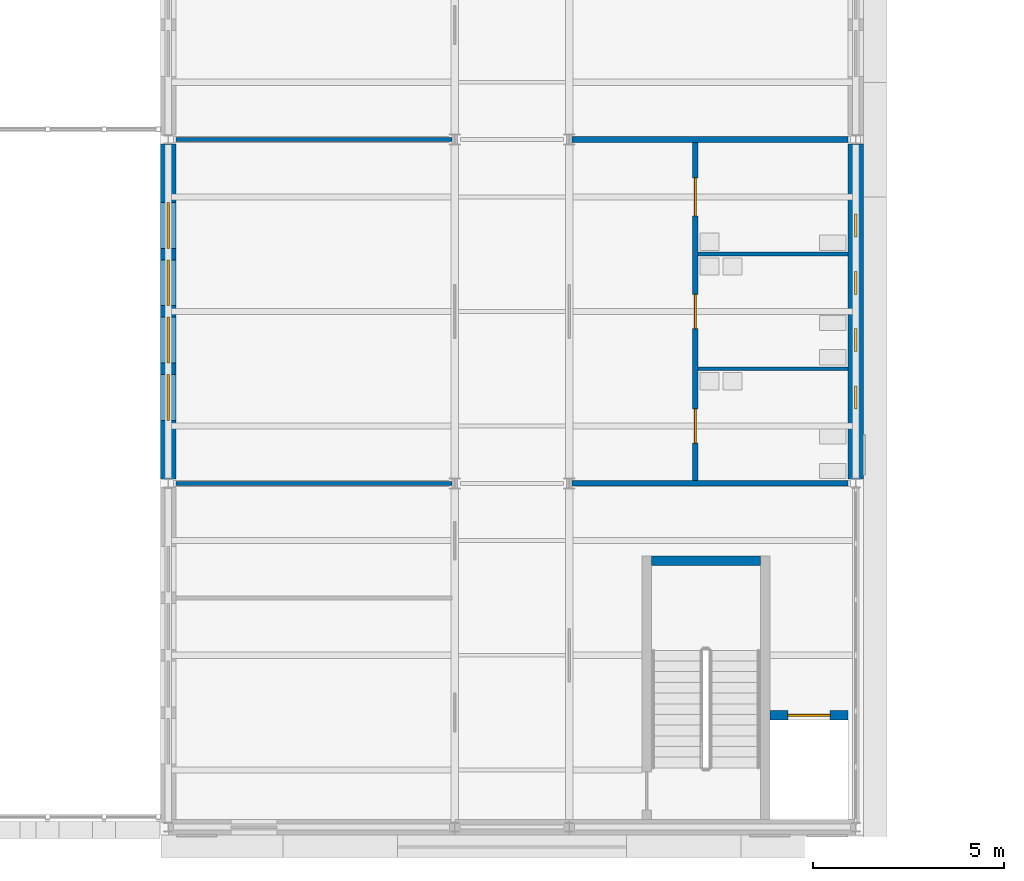
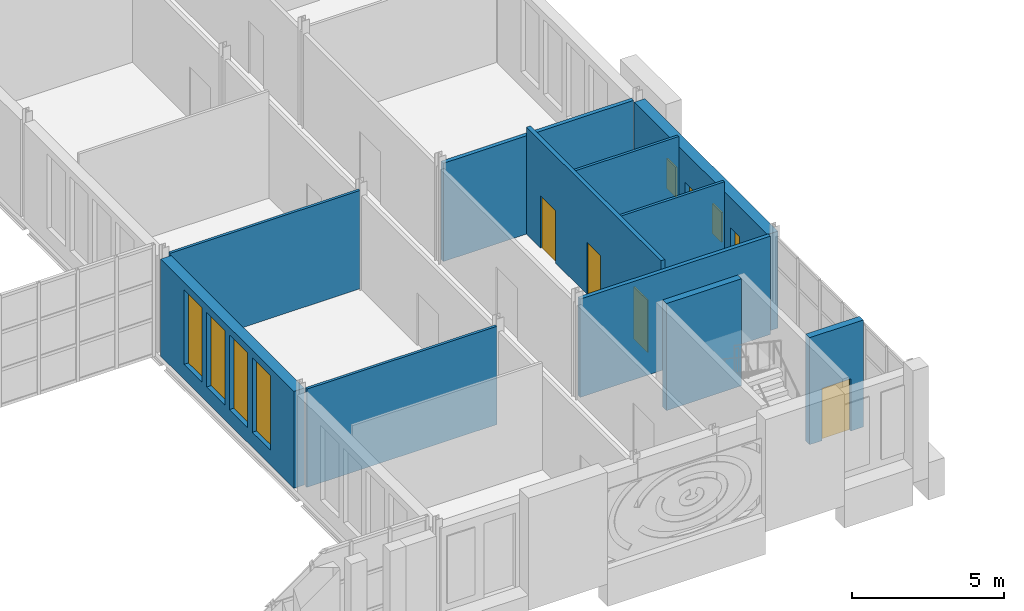
# One storey, part 77 of 131: 11 walls, 8 windows, 4 doors, 12 openings.
"""IFC4 building model written with IfcOpenShell, lengths in metres."""

from ifc_helpers import new_model, si_unit, direction, frame, frame_2d, origin, place, context, subcontext, project, spatial, rectangle, extrude, material, layer, layer_set, type_object, element, fill, save


model = new_model("IFC4")

# Units and contexts
model_context = context("Model", 3, precision=1e-05, world=origin(), true_north=direction((0.0, 1.0)))
body_context = subcontext(model_context, "Body", "Model", "MODEL_VIEW")
ifc_project = project(units=[si_unit("LENGTHUNIT", "METRE"), si_unit("AREAUNIT", "SQUARE_METRE"), si_unit("VOLUMEUNIT", "CUBIC_METRE"), si_unit("PLANEANGLEUNIT", "RADIAN"), si_unit("MASSUNIT", "GRAM", prefix="KILO")], contexts=[model_context])

# Site, building, storey
site_placement = place(None, origin())
site = spatial("IfcSite", under=ifc_project, at=site_placement, CompositionType="ELEMENT")
building_placement = place(site_placement, origin())
building = spatial("IfcBuilding", under=site, at=building_placement, Name="Golden Quay Civic Hall", CompositionType="ELEMENT")
storey_placement = place(building_placement, frame((0.0, 0.0, 9.89990234375)))
storey = spatial("IfcBuildingStorey", under=building, at=storey_placement, Name="L02", CompositionType="ELEMENT", Elevation=9.89990234375)

# Wall
ifc_material_1 = material(Name="Concrete C40/50", Category="concrete")
ifc_layer_1 = layer(ifc_material_1, 0.25)
ifc_layer_set_1 = layer_set([ifc_layer_1], Name="Concrete core wall 250, Concrete C40/50")
wall_type_1 = type_object("IfcWallType", Name="Concrete core wall 250", PredefinedType="SHEAR", material=ifc_layer_set_1)
wall_1_placement = place(storey_placement, frame((111.64990234375, 6.97509765625, 0.0), z_axis=(0.0, 0.0, 1.0), x_axis=(1.0, 0.0, 0.0)))
element("IfcWall", 1, at=wall_1_placement, inside=storey, type_object=wall_type_1, Name="Core wall EM-S-W3", PredefinedType="SHEAR", context=body_context, shape_type="SweptSolid", body=[
    extrude(rectangle(XDim=2.85009765625, YDim=0.25, at=frame_2d((1.425048828125, 0.0))), origin(), (0.0, 0.0, 1.0), 4.300048828125),
])

# Wall, opening, door
wall_2_placement = place(storey_placement, frame((114.75, 2.925048828125, 0.0), z_axis=(0.0, 0.0, 1.0), x_axis=(1.0, 0.0, 0.0)))
wall_2 = element("IfcWall", 2, at=wall_2_placement, inside=storey, type_object=wall_type_1, Name="Core wall EM-S-W4", PredefinedType="SHEAR", context=body_context, shape_type="SweptSolid", body=[
    extrude(rectangle(XDim=2.050048828125, YDim=0.25, at=frame_2d((1.02490234375, 0.0))), origin(), (0.0, 0.0, 1.0), 4.300048828125),
])
opening_1_placement = place(wall_2_placement, frame((0.47509765625, 0.0, 0.0)))
opening_1 = element("IfcOpeningElement", 3, at=opening_1_placement, cuts=wall_2, Name="Opening L02-D128", PredefinedType="OPENING", context=body_context, shape_type="SweptSolid", body=[
    extrude(rectangle(XDim=1.10009765625, YDim=2.10009765625, at=frame_2d((0.550048828125, 1.050048828125))), frame((0.0, 0.135009765625, 0.0), z_axis=(0.0, -1.0, 0.0), x_axis=(1.0, 0.0, 0.0)), (0.0, 0.0, 1.0), 0.27001953125),
])
ifc_material_2 = material(Name="Steel", Category="steel")
door_type_1 = type_object("IfcDoorType", Name="Lift landing door 1100 x 2100", OperationType="SLIDING_TO_LEFT", PredefinedType="DOOR", material=ifc_material_2)
door_1_placement = place(opening_1_placement, origin())
door_1 = element("IfcDoor", 4, at=door_1_placement, inside=storey, type_object=door_type_1, Name="Lift landing door L02-D128 EM-S", OperationType="SLIDING_TO_LEFT", OverallHeight=2.10009765625, OverallWidth=1.10009765625, PredefinedType="DOOR", context=body_context, shape_type="SweptSolid", body=[
    extrude(rectangle(XDim=1.10009765625, YDim=2.10009765625, at=frame_2d((0.550048828125, 1.050048828125))), frame((0.0, 0.02490234375, 0.0), z_axis=(0.0, -1.0, 0.0), x_axis=(1.0, 0.0, 0.0)), (0.0, 0.0, 1.0), 0.050048828125),
])
fill(opening_1, door_1)

# Walls
ifc_material_3 = material(Name="Plasterboard on steel studs", Category="steel")
ifc_layer_2 = layer(ifc_material_3, 0.10009765625)
ifc_layer_set_2 = layer_set([ifc_layer_2], Name="Partition 100 stud")
wall_type_2 = type_object("IfcWallType", Name="Partition 100 stud", PredefinedType="PARTITIONING", material=ifc_layer_set_2)
for number, where, z_axis, x_axis, name in (
    (5, (99.199951171875, 9.0, 0.0), (0.0, 0.0, 1.0), (1.0, 0.0, 0.0), "Partition L02-006"),
    (6, (99.199951171875, 18.0, 0.0), (0.0, 0.0, 1.0), (1.0, 0.0, 0.0), "Partition L02-007"),
):
    element("IfcWall", number, at=place(storey_placement, frame(where, z_axis=z_axis, x_axis=x_axis)), inside=storey, type_object=wall_type_2, Name=name, PredefinedType="PARTITIONING", context=body_context, shape_type="SweptSolid", body=[
        extrude(rectangle(XDim=7.22509765625, YDim=0.10009765625, at=frame_2d((3.612548828125, 0.0))), origin(), (0.0, 0.0, 1.0), 3.9501953125),
    ])
for number, where, z_axis, x_axis, name in (
    (7, (112.875, 12.0, 0.0), (0.0, 0.0, 1.0), (1.0, 0.0, 0.0), "Partition L02-017"),
    (8, (112.875, 15.0, 0.0), (0.0, 0.0, 1.0), (1.0, 0.0, 0.0), "Partition L02-018"),
):
    element("IfcWall", number, at=place(storey_placement, frame(where, z_axis=z_axis, x_axis=x_axis)), inside=storey, type_object=wall_type_2, Name=name, PredefinedType="PARTITIONING", context=body_context, shape_type="SweptSolid", body=[
        extrude(rectangle(XDim=3.925048828125, YDim=0.10009765625, at=frame_2d((1.96240234375, 0.0))), origin(), (0.0, 0.0, 1.0), 4.300048828125),
    ])
ifc_material_4 = material(Name="Plasterboard on steel studs", Category="steel")
ifc_layer_3 = layer(ifc_material_4, 0.14990234375)
ifc_layer_set_3 = layer_set([ifc_layer_3], Name="Partition 150 stud fire EI 60")
wall_type_3 = type_object("IfcWallType", Name="Partition 150 stud fire EI 60", PredefinedType="PARTITIONING", material=ifc_layer_set_3)
for number, where, z_axis, x_axis, name in (
    (9, (109.574951171875, 18.0, 0.0), (0.0, 0.0, 1.0), (1.0, 0.0, 0.0), "Partition L02-000"),
    (10, (109.574951171875, 9.0, 0.0), (0.0, 0.0, 1.0), (1.0, 0.0, 0.0), "Partition L02-013"),
):
    element("IfcWall", number, at=place(storey_placement, frame(where, z_axis=z_axis, x_axis=x_axis)), inside=storey, type_object=wall_type_3, Name=name, PredefinedType="PARTITIONING", context=body_context, shape_type="SweptSolid", body=[
        extrude(rectangle(XDim=7.22509765625, YDim=0.14990234375, at=frame_2d((3.612548828125, 0.0))), origin(), (0.0, 0.0, 1.0), 3.9501953125),
    ])

# Wall, openings, doors
wall_3_placement = place(storey_placement, frame((112.800048828125, 9.074951171875, 0.0), z_axis=(0.0, 0.0, 1.0), x_axis=(0.0, 1.0, 0.0)))
wall_3 = element("IfcWall", 11, at=wall_3_placement, inside=storey, type_object=wall_type_3, Name="Partition L02-016", PredefinedType="PARTITIONING", context=body_context, shape_type="SweptSolid", body=[
    extrude(rectangle(XDim=8.85009765625, YDim=0.14990234375, at=frame_2d((4.425048828125, 0.0))), origin(), (0.0, 0.0, 1.0), 4.300048828125),
])
opening_2_placement = place(wall_3_placement, frame((0.97509765625, 0.0, 0.0)))
opening_2 = element("IfcOpeningElement", 12, at=opening_2_placement, cuts=wall_3, Name="Opening L02-D121", PredefinedType="OPENING", context=body_context, shape_type="SweptSolid", body=[
    extrude(rectangle(XDim=0.89990234375, YDim=2.10009765625, at=frame_2d((0.449951171875, 1.050048828125))), frame((0.0, 0.0849609375, 0.0), z_axis=(0.0, -1.0, 0.0), x_axis=(1.0, 0.0, 0.0)), (0.0, 0.0, 1.0), 0.169921875),
])
opening_3_placement = place(wall_3_placement, frame((3.97509765625, 0.0, 0.0)))
opening_3 = element("IfcOpeningElement", 13, at=opening_3_placement, cuts=wall_3, Name="Opening L02-D122", PredefinedType="OPENING", context=body_context, shape_type="SweptSolid", body=[
    extrude(rectangle(XDim=0.89990234375, YDim=2.10009765625, at=frame_2d((0.449951171875, 1.050048828125))), frame((0.0, 0.0849609375, 0.0), z_axis=(0.0, -1.0, 0.0), x_axis=(1.0, 0.0, 0.0)), (0.0, 0.0, 1.0), 0.169921875),
])
opening_4_placement = place(wall_3_placement, frame((6.925048828125, 0.0, 0.0)))
opening_4 = element("IfcOpeningElement", 14, at=opening_4_placement, cuts=wall_3, Name="Opening L02-D123", PredefinedType="OPENING", context=body_context, shape_type="SweptSolid", body=[
    extrude(rectangle(XDim=1.0, YDim=2.10009765625, at=frame_2d((0.5, 1.050048828125))), frame((0.0, 0.0849609375, 0.0), z_axis=(0.0, -1.0, 0.0), x_axis=(1.0, 0.0, 0.0)), (0.0, 0.0, 1.0), 0.169921875),
])
ifc_material_5 = material(Name="Timber", Category="wood")
door_type_2 = type_object("IfcDoorType", Name="Timber door 1000 x 2100", OperationType="SINGLE_SWING_LEFT", PredefinedType="DOOR", material=ifc_material_5)
door_2_placement = place(opening_4_placement, frame((1.0, 0.0, 0.0), z_axis=(0.0, 0.0, 1.0), x_axis=(-1.0, 0.0, 0.0)))
door_2 = element("IfcDoor", 15, at=door_2_placement, inside=storey, type_object=door_type_2, Name="Door L02-D123", OperationType="SINGLE_SWING_RIGHT", OverallHeight=2.10009765625, OverallWidth=1.0, PredefinedType="DOOR", context=body_context, shape_type="SweptSolid", body=[
    extrude(rectangle(XDim=1.0, YDim=2.10009765625, at=frame_2d((0.5, 1.050048828125))), frame((0.0, 0.025146484375, 0.0), z_axis=(0.0, -1.0, 0.0), x_axis=(1.0, 0.0, 0.0)), (0.0, 0.0, 1.0), 0.050048828125),
])
fill(opening_4, door_2)
ifc_material_6 = material(Name="Timber", Category="wood")
door_type_3 = type_object("IfcDoorType", Name="Timber door 900 x 2100", OperationType="SINGLE_SWING_LEFT", PredefinedType="DOOR", material=ifc_material_6)
door_3_placement = place(opening_2_placement, frame((0.89990234375, 0.0, 0.0), z_axis=(0.0, 0.0, 1.0), x_axis=(-1.0, 0.0, 0.0)))
door_3 = element("IfcDoor", 16, at=door_3_placement, inside=storey, type_object=door_type_3, Name="Door L02-D121", OperationType="SINGLE_SWING_RIGHT", OverallHeight=2.10009765625, OverallWidth=0.89990234375, PredefinedType="DOOR", context=body_context, shape_type="SweptSolid", body=[
    extrude(rectangle(XDim=0.89990234375, YDim=2.10009765625, at=frame_2d((0.449951171875, 1.050048828125))), frame((0.0, 0.025146484375, 0.0), z_axis=(0.0, -1.0, 0.0), x_axis=(1.0, 0.0, 0.0)), (0.0, 0.0, 1.0), 0.050048828125),
])
fill(opening_2, door_3)
door_4_placement = place(opening_3_placement, frame((0.89990234375, 0.0, 0.0), z_axis=(0.0, 0.0, 1.0), x_axis=(-1.0, 0.0, 0.0)))
door_4 = element("IfcDoor", 17, at=door_4_placement, inside=storey, type_object=door_type_3, Name="Door L02-D122", OperationType="SINGLE_SWING_RIGHT", OverallHeight=2.10009765625, OverallWidth=0.89990234375, PredefinedType="DOOR", context=body_context, shape_type="SweptSolid", body=[
    extrude(rectangle(XDim=0.89990234375, YDim=2.10009765625, at=frame_2d((0.449951171875, 1.050048828125))), frame((0.0, 0.025146484375, 0.0), z_axis=(0.0, -1.0, 0.0), x_axis=(1.0, 0.0, 0.0)), (0.0, 0.0, 1.0), 0.050048828125),
])
fill(opening_3, door_4)

# Wall, openings, windows
ifc_material_7 = material(Name="Clay block, rendered, cream")
ifc_layer_4 = layer(ifc_material_7, 0.39990234375)
ifc_layer_set_4 = layer_set([ifc_layer_4], Name="Rendered block external wall 400")
wall_type_4 = type_object("IfcWallType", Name="Rendered block external wall 400", PredefinedType="STANDARD", material=ifc_layer_set_4)
wall_4_placement = place(storey_placement, frame((99.0, 9.114990234375, 0.0), z_axis=(0.0, 0.0, 1.0), x_axis=(0.0, 1.0, 0.0)))
wall_4 = element("IfcWall", 18, at=wall_4_placement, inside=storey, type_object=wall_type_4, Name="Rendered block external wall 400 L02 36", PredefinedType="STANDARD", context=body_context, shape_type="SweptSolid", body=[
    extrude(rectangle(XDim=8.77001953125, YDim=0.39990234375, at=frame_2d((4.385009765625, 0.0))), origin(), (0.0, 0.0, 1.0), 3.900146484375),
])
opening_5_placement = place(wall_4_placement, frame((1.534912109375, 0.0, 0.60009765625)))
opening_5 = element("IfcOpeningElement", 19, at=opening_5_placement, cuts=wall_4, Name="Opening WN5", PredefinedType="OPENING", context=body_context, shape_type="SweptSolid", body=[
    extrude(rectangle(XDim=1.199951171875, YDim=3.0, at=frame_2d((0.60009765625, 1.5))), frame((0.0, 0.2099609375, 0.0), z_axis=(0.0, -1.0, 0.0), x_axis=(1.0, 0.0, 0.0)), (0.0, 0.0, 1.0), 0.419921875),
])
opening_6_placement = place(wall_4_placement, frame((3.034912109375, 0.0, 0.60009765625)))
opening_6 = element("IfcOpeningElement", 20, at=opening_6_placement, cuts=wall_4, Name="Opening WN5", PredefinedType="OPENING", context=body_context, shape_type="SweptSolid", body=[
    extrude(rectangle(XDim=1.199951171875, YDim=3.0, at=frame_2d((0.60009765625, 1.5))), frame((0.0, 0.2099609375, 0.0), z_axis=(0.0, -1.0, 0.0), x_axis=(1.0, 0.0, 0.0)), (0.0, 0.0, 1.0), 0.419921875),
])
opening_7_placement = place(wall_4_placement, frame((4.534912109375, 0.0, 0.60009765625)))
opening_7 = element("IfcOpeningElement", 21, at=opening_7_placement, cuts=wall_4, Name="Opening WN5", PredefinedType="OPENING", context=body_context, shape_type="SweptSolid", body=[
    extrude(rectangle(XDim=1.199951171875, YDim=3.0, at=frame_2d((0.60009765625, 1.5))), frame((0.0, 0.2099609375, 0.0), z_axis=(0.0, -1.0, 0.0), x_axis=(1.0, 0.0, 0.0)), (0.0, 0.0, 1.0), 0.419921875),
])
opening_8_placement = place(wall_4_placement, frame((6.034912109375, 0.0, 0.60009765625)))
opening_8 = element("IfcOpeningElement", 22, at=opening_8_placement, cuts=wall_4, Name="Opening WN5", PredefinedType="OPENING", context=body_context, shape_type="SweptSolid", body=[
    extrude(rectangle(XDim=1.199951171875, YDim=3.0, at=frame_2d((0.60009765625, 1.5))), frame((0.0, 0.2099609375, 0.0), z_axis=(0.0, -1.0, 0.0), x_axis=(1.0, 0.0, 0.0)), (0.0, 0.0, 1.0), 0.419921875),
])
ifc_material_8 = material(Name="Aluminium frame, double glazed", Category="aluminium")
window_type_1 = type_object("IfcWindowType", Name="Golden grid window 1200 x 3000", PartitioningType="SINGLE_PANEL", PredefinedType="WINDOW", material=ifc_material_8)
window_1_placement = place(opening_5_placement, origin())
window_1 = element("IfcWindow", 23, at=window_1_placement, inside=storey, type_object=window_type_1, Name="Golden grid window 1200 x 3000 L02 79", OverallHeight=3.0, OverallWidth=1.199951171875, PartitioningType="SINGLE_PANEL", PredefinedType="WINDOW", context=body_context, shape_type="SweptSolid", body=[
    extrude(rectangle(XDim=1.199951171875, YDim=3.0, at=frame_2d((0.60009765625, 1.5))), frame((0.0, 0.030029296875, 0.0), z_axis=(0.0, -1.0, 0.0), x_axis=(1.0, 0.0, 0.0)), (0.0, 0.0, 1.0), 0.06005859375),
])
fill(opening_5, window_1)
window_2_placement = place(opening_6_placement, origin())
window_2 = element("IfcWindow", 24, at=window_2_placement, inside=storey, type_object=window_type_1, Name="Golden grid window 1200 x 3000 L02 80", OverallHeight=3.0, OverallWidth=1.199951171875, PartitioningType="SINGLE_PANEL", PredefinedType="WINDOW", context=body_context, shape_type="SweptSolid", body=[
    extrude(rectangle(XDim=1.199951171875, YDim=3.0, at=frame_2d((0.60009765625, 1.5))), frame((0.0, 0.030029296875, 0.0), z_axis=(0.0, -1.0, 0.0), x_axis=(1.0, 0.0, 0.0)), (0.0, 0.0, 1.0), 0.06005859375),
])
fill(opening_6, window_2)
window_3_placement = place(opening_7_placement, origin())
window_3 = element("IfcWindow", 25, at=window_3_placement, inside=storey, type_object=window_type_1, Name="Golden grid window 1200 x 3000 L02 81", OverallHeight=3.0, OverallWidth=1.199951171875, PartitioningType="SINGLE_PANEL", PredefinedType="WINDOW", context=body_context, shape_type="SweptSolid", body=[
    extrude(rectangle(XDim=1.199951171875, YDim=3.0, at=frame_2d((0.60009765625, 1.5))), frame((0.0, 0.030029296875, 0.0), z_axis=(0.0, -1.0, 0.0), x_axis=(1.0, 0.0, 0.0)), (0.0, 0.0, 1.0), 0.06005859375),
])
fill(opening_7, window_3)
window_4_placement = place(opening_8_placement, origin())
window_4 = element("IfcWindow", 26, at=window_4_placement, inside=storey, type_object=window_type_1, Name="Golden grid window 1200 x 3000 L02 82", OverallHeight=3.0, OverallWidth=1.199951171875, PartitioningType="SINGLE_PANEL", PredefinedType="WINDOW", context=body_context, shape_type="SweptSolid", body=[
    extrude(rectangle(XDim=1.199951171875, YDim=3.0, at=frame_2d((0.60009765625, 1.5))), frame((0.0, 0.030029296875, 0.0), z_axis=(0.0, -1.0, 0.0), x_axis=(1.0, 0.0, 0.0)), (0.0, 0.0, 1.0), 0.06005859375),
])
fill(opening_8, window_4)

wall_5_placement = place(storey_placement, frame((117.0, 17.885009765625, 0.0), z_axis=(0.0, 0.0, 1.0), x_axis=(0.0, -1.0, 0.0)))
wall_5 = element("IfcWall", 27, at=wall_5_placement, inside=storey, type_object=wall_type_4, Name="Rendered block external wall 400 L02 43", PredefinedType="STANDARD", context=body_context, shape_type="SweptSolid", body=[
    extrude(rectangle(XDim=8.77001953125, YDim=0.39990234375, at=frame_2d((4.385009765625, 0.0))), origin(), (0.0, 0.0, 1.0), 3.900146484375),
])
opening_9_placement = place(wall_5_placement, frame((6.3349609375, 0.0, 1.5)))
opening_9 = element("IfcOpeningElement", 28, at=opening_9_placement, cuts=wall_5, Name="Opening WN1", PredefinedType="OPENING", context=body_context, shape_type="SweptSolid", body=[
    extrude(rectangle(XDim=0.60009765625, YDim=1.199951171875, at=frame_2d((0.300048828125, 0.60009765625))), frame((0.0, 0.2099609375, 0.0), z_axis=(0.0, -1.0, 0.0), x_axis=(1.0, 0.0, 0.0)), (0.0, 0.0, 1.0), 0.419921875),
])
opening_10_placement = place(wall_5_placement, frame((4.8349609375, 0.0, 1.5)))
opening_10 = element("IfcOpeningElement", 29, at=opening_10_placement, cuts=wall_5, Name="Opening WN1", PredefinedType="OPENING", context=body_context, shape_type="SweptSolid", body=[
    extrude(rectangle(XDim=0.60009765625, YDim=1.199951171875, at=frame_2d((0.300048828125, 0.60009765625))), frame((0.0, 0.2099609375, 0.0), z_axis=(0.0, -1.0, 0.0), x_axis=(1.0, 0.0, 0.0)), (0.0, 0.0, 1.0), 0.419921875),
])
opening_11_placement = place(wall_5_placement, frame((3.3349609375, 0.0, 1.5)))
opening_11 = element("IfcOpeningElement", 30, at=opening_11_placement, cuts=wall_5, Name="Opening WN1", PredefinedType="OPENING", context=body_context, shape_type="SweptSolid", body=[
    extrude(rectangle(XDim=0.60009765625, YDim=1.199951171875, at=frame_2d((0.300048828125, 0.60009765625))), frame((0.0, 0.2099609375, 0.0), z_axis=(0.0, -1.0, 0.0), x_axis=(1.0, 0.0, 0.0)), (0.0, 0.0, 1.0), 0.419921875),
])
opening_12_placement = place(wall_5_placement, frame((1.8349609375, 0.0, 1.5)))
opening_12 = element("IfcOpeningElement", 31, at=opening_12_placement, cuts=wall_5, Name="Opening WN1", PredefinedType="OPENING", context=body_context, shape_type="SweptSolid", body=[
    extrude(rectangle(XDim=0.60009765625, YDim=1.199951171875, at=frame_2d((0.300048828125, 0.60009765625))), frame((0.0, 0.2099609375, 0.0), z_axis=(0.0, -1.0, 0.0), x_axis=(1.0, 0.0, 0.0)), (0.0, 0.0, 1.0), 0.419921875),
])
ifc_material_9 = material(Name="Aluminium frame, double glazed", Category="aluminium")
window_type_2 = type_object("IfcWindowType", Name="WC window 600 x 1200", PartitioningType="SINGLE_PANEL", PredefinedType="WINDOW", material=ifc_material_9)
window_5_placement = place(opening_9_placement, origin())
window_5 = element("IfcWindow", 32, at=window_5_placement, inside=storey, type_object=window_type_2, Name="WC window 600 x 1200 L02 12", OverallHeight=1.199951171875, OverallWidth=0.60009765625, PartitioningType="SINGLE_PANEL", PredefinedType="WINDOW", context=body_context, shape_type="SweptSolid", body=[
    extrude(rectangle(XDim=0.60009765625, YDim=1.199951171875, at=frame_2d((0.300048828125, 0.60009765625))), frame((0.0, 0.030029296875, 0.0), z_axis=(0.0, -1.0, 0.0), x_axis=(1.0, 0.0, 0.0)), (0.0, 0.0, 1.0), 0.06005859375),
])
fill(opening_9, window_5)
window_6_placement = place(opening_10_placement, origin())
window_6 = element("IfcWindow", 33, at=window_6_placement, inside=storey, type_object=window_type_2, Name="WC window 600 x 1200 L02 13", OverallHeight=1.199951171875, OverallWidth=0.60009765625, PartitioningType="SINGLE_PANEL", PredefinedType="WINDOW", context=body_context, shape_type="SweptSolid", body=[
    extrude(rectangle(XDim=0.60009765625, YDim=1.199951171875, at=frame_2d((0.300048828125, 0.60009765625))), frame((0.0, 0.030029296875, 0.0), z_axis=(0.0, -1.0, 0.0), x_axis=(1.0, 0.0, 0.0)), (0.0, 0.0, 1.0), 0.06005859375),
])
fill(opening_10, window_6)
window_7_placement = place(opening_11_placement, origin())
window_7 = element("IfcWindow", 34, at=window_7_placement, inside=storey, type_object=window_type_2, Name="WC window 600 x 1200 L02 14", OverallHeight=1.199951171875, OverallWidth=0.60009765625, PartitioningType="SINGLE_PANEL", PredefinedType="WINDOW", context=body_context, shape_type="SweptSolid", body=[
    extrude(rectangle(XDim=0.60009765625, YDim=1.199951171875, at=frame_2d((0.300048828125, 0.60009765625))), frame((0.0, 0.030029296875, 0.0), z_axis=(0.0, -1.0, 0.0), x_axis=(1.0, 0.0, 0.0)), (0.0, 0.0, 1.0), 0.06005859375),
])
fill(opening_11, window_7)
window_8_placement = place(opening_12_placement, origin())
window_8 = element("IfcWindow", 35, at=window_8_placement, inside=storey, type_object=window_type_2, Name="WC window 600 x 1200 L02 15", OverallHeight=1.199951171875, OverallWidth=0.60009765625, PartitioningType="SINGLE_PANEL", PredefinedType="WINDOW", context=body_context, shape_type="SweptSolid", body=[
    extrude(rectangle(XDim=0.60009765625, YDim=1.199951171875, at=frame_2d((0.300048828125, 0.60009765625))), frame((0.0, 0.030029296875, 0.0), z_axis=(0.0, -1.0, 0.0), x_axis=(1.0, 0.0, 0.0)), (0.0, 0.0, 1.0), 0.06005859375),
])
fill(opening_12, window_8)

save(model, "model.ifc")
